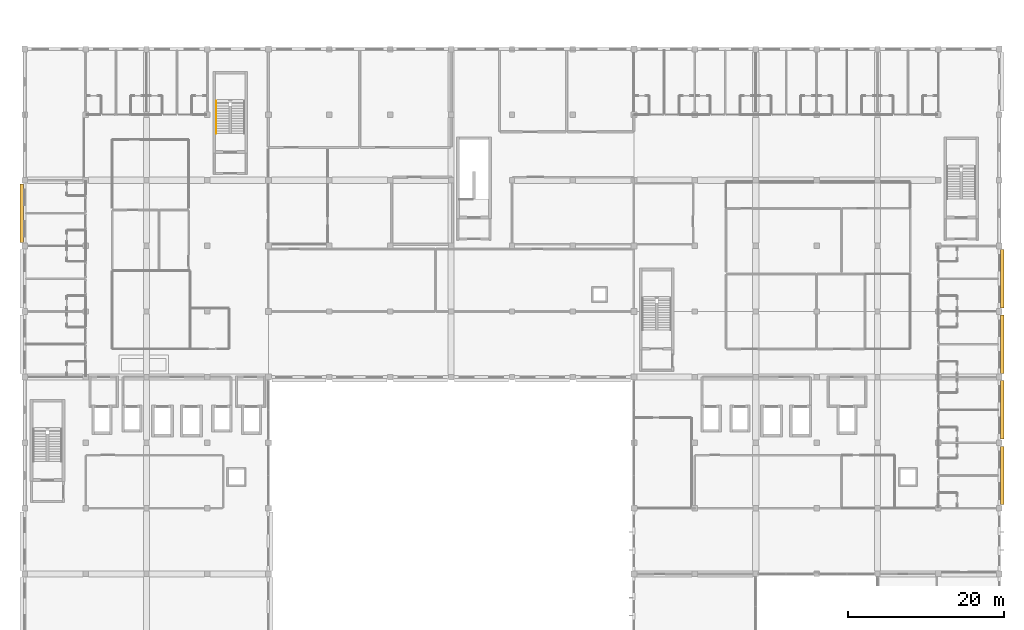
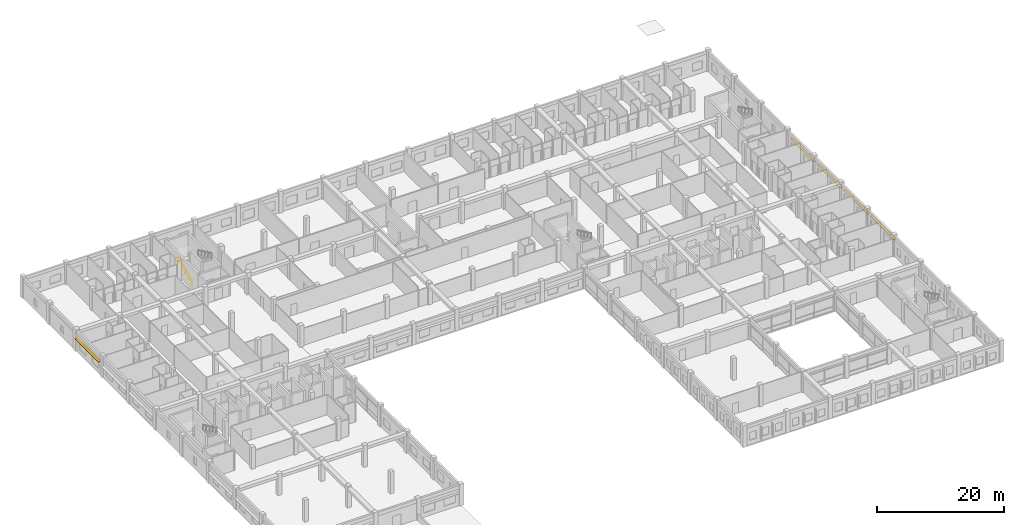
# One storey, part 51 of 53: 5 shading devices, 1 railing.
"""IFC4 building model written with IfcOpenShell, lengths in metres."""

from ifc_helpers import new_model, si_unit, direction, frame, origin, origin_2d, place, context, subcontext, project, spatial, rectangle, circle, extrude, material, layer, layer_set, type_object, element, save


model = new_model("IFC4")

# Units and contexts
model_context = context("Model", 3, precision=1e-05, world=origin(), true_north=direction((0.0, 1.0)))
body_context = subcontext(model_context, "Body", "Model", "MODEL_VIEW")
ifc_project = project(units=[si_unit("LENGTHUNIT", "METRE"), si_unit("AREAUNIT", "SQUARE_METRE"), si_unit("VOLUMEUNIT", "CUBIC_METRE"), si_unit("PLANEANGLEUNIT", "RADIAN"), si_unit("MASSUNIT", "GRAM", prefix="KILO"), si_unit("THERMODYNAMICTEMPERATUREUNIT", "KELVIN"), si_unit("POWERUNIT", "WATT")], contexts=[model_context])

# Site, building, storey
site_placement = place(None, origin())
site = spatial("IfcSite", under=ifc_project, at=site_placement, CompositionType="ELEMENT")
building_placement = place(site_placement, origin())
building = spatial("IfcBuilding", under=site, at=building_placement, Name="Srebrne Nadtorze General Hospital", CompositionType="ELEMENT")
storey_placement = place(building_placement, frame((0.0, 0.0, 18.0)))
storey = spatial("IfcBuildingStorey", under=building, at=storey_placement, Name="L04", CompositionType="ELEMENT", Elevation=18.0)

# Shading devices
ifc_material_1 = material(Name="Anodised Aluminium", Category="aluminium")
ifc_layer = layer(ifc_material_1, 0.080078125)
ifc_layer_set = layer_set([ifc_layer], Name="Anodised Aluminium")
shading_device_type = type_object("IfcShadingDeviceType", Name="Hisashi horizontal aluminium sunshade", PredefinedType="JALOUSIE", material=ifc_layer_set)
for number, where, z_axis, x_axis, name in (
    (1, (23.0400390625, 71.39990234375, 2.570068359375), (0.0, 0.0, 1.0), (1.0, 0.0, 0.0), "Hisashi horizontal sunshade eave LV-274"),
    (2, (148.56005859375, 37.800048828125, 2.570068359375), (0.0, 0.0, 1.0), (1.0, 0.0, 0.0), "Hisashi horizontal sunshade eave LV-294"),
    (3, (148.56005859375, 46.199951171875, 2.469970703125), (0.0, 0.0, 1.0), (1.0, 0.0, 0.0), "Hisashi horizontal sunshade eave LV-295"),
    (4, (148.56005859375, 54.60009765625, 2.369873046875), (0.0, 0.0, 1.0), (1.0, 0.0, 0.0), "Hisashi horizontal sunshade eave LV-296"),
    (5, (148.56005859375, 63.0, 2.27001953125), (0.0, 0.0, 1.0), (1.0, 0.0, 0.0), "Hisashi horizontal sunshade eave LV-297"),
):
    element("IfcShadingDevice", number, at=place(storey_placement, frame(where, z_axis=z_axis, x_axis=x_axis)), inside=storey, type_object=shading_device_type, Name=name, PredefinedType="JALOUSIE", context=body_context, shape_type="SweptSolid", body=[
        extrude(rectangle(XDim=0.47998046875, YDim=7.489990234375, at=origin_2d()), origin(), (0.0, 0.0, 1.0), 0.080078125),
    ])

# Railing
ifc_material_2 = material(Name="Stainless Steel 316", Category="steel")
railing_type = type_object("IfcRailingType", Name="Tubular stainless handrail 920", PredefinedType="HANDRAIL", material=ifc_material_2)
railing_placement = place(storey_placement, frame((47.929931640625, 81.60009765625, 0.14990234375)))
element("IfcRailing", 6, at=railing_placement, inside=storey, type_object=railing_type, Name="Stair flight handrail ST-02-L04 F1", PredefinedType="HANDRAIL", context=body_context, shape_type="SweptSolid", body=[
    extrude(circle(Radius=0.02392578125, at=origin_2d()), frame((0.0, 0.0, 0.89599609375), z_axis=(0.0, 0.905439151359, 0.424476080818), x_axis=(-1.0, 0.0, 0.0)), (0.0, 0.0, 1.0), 4.59423828125),
    extrude(circle(Radius=0.02099609375, at=origin_2d()), origin(), (0.0, 0.0, 1.0), 0.871826171875),
    extrude(circle(Radius=0.02099609375, at=origin_2d()), frame((0.0, 1.0400390625, 0.487548828125)), (0.0, 0.0, 1.0), 0.871826171875),
    extrude(circle(Radius=0.02099609375, at=origin_2d()), frame((0.0, 2.080078125, 0.97509765625)), (0.0, 0.0, 1.0), 0.871826171875),
    extrude(circle(Radius=0.02099609375, at=origin_2d()), frame((0.0, 3.119873046875, 1.462646484375)), (0.0, 0.0, 1.0), 0.871826171875),
    extrude(circle(Radius=0.02099609375, at=origin_2d()), frame((0.0, 4.159912109375, 1.9501953125)), (0.0, 0.0, 1.0), 0.871826171875),
])

save(model, "model.ifc")
